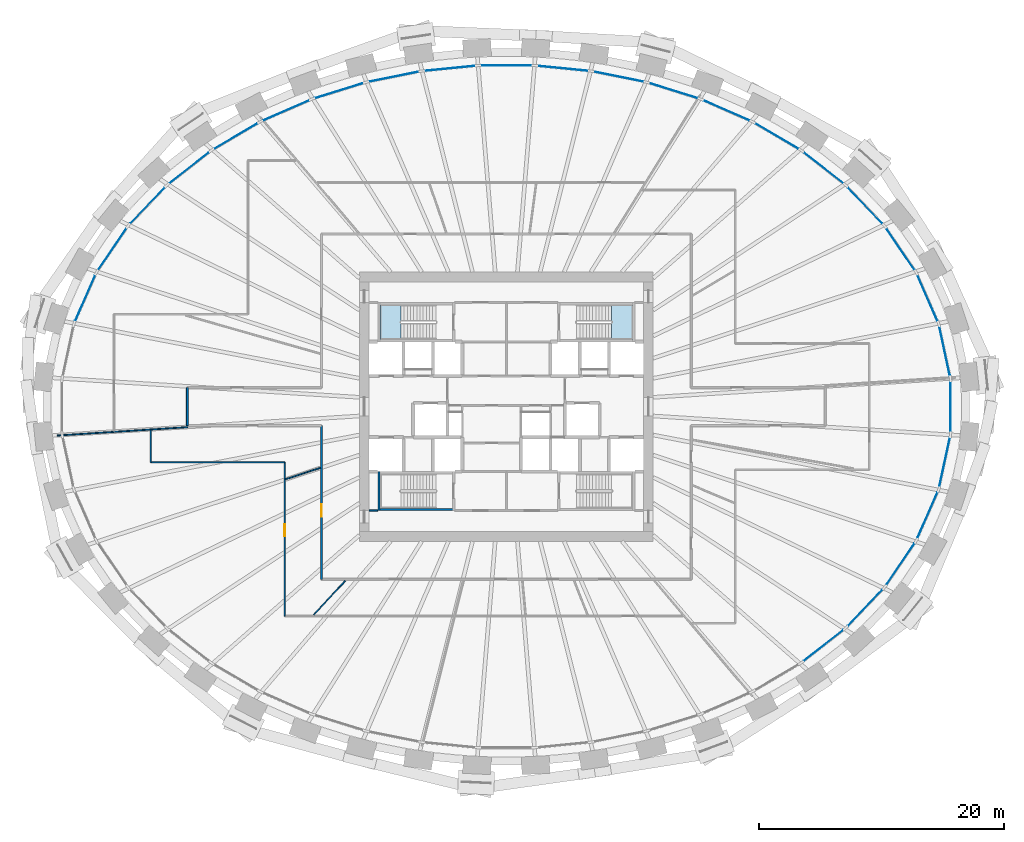
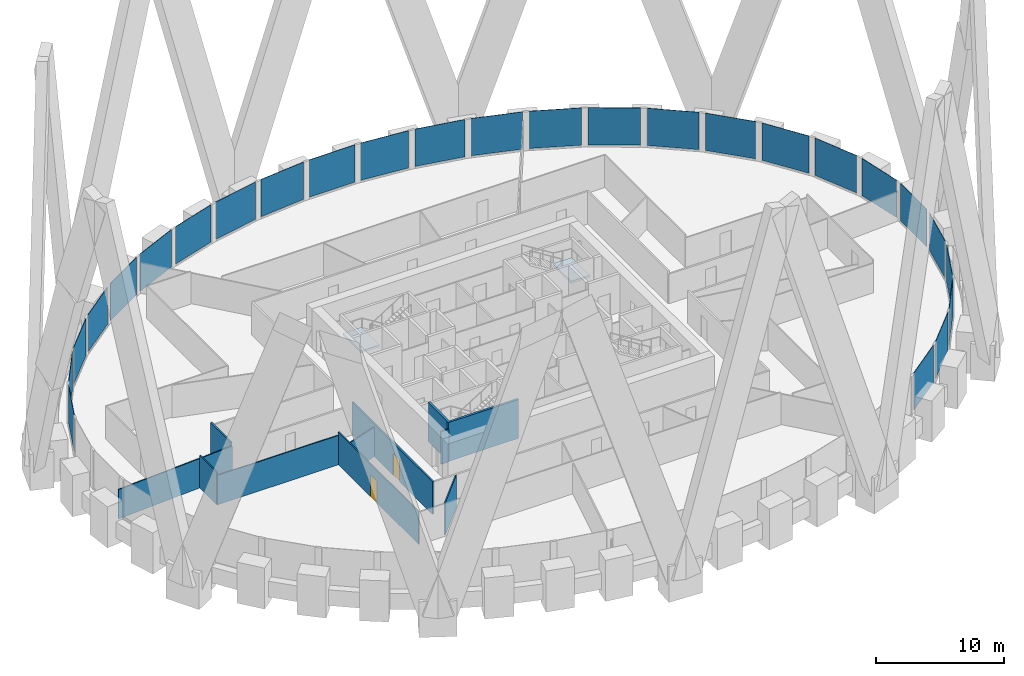
# One storey, part 6 of 12: 26 plates, 11 walls, 2 doors, 2 slabs, 2 openings, 3 elements without a shape of their own.
"""IFC4 building model written with IfcOpenShell, lengths in metres."""

from ifc_helpers import new_model, si_unit, direction, frame, frame_2d, origin, origin_2d, place, context, subcontext, project, spatial, polyline, rectangle, outline, extrude, source, transform, mapped, material, layer, layer_set, type_object, element, fill, aggregate, save


model = new_model("IFC4")

# Units and contexts
model_context = context("Model", 3, precision=1e-05, world=origin(), true_north=direction((0.0, 1.0)))
body_context = subcontext(model_context, "Body", "Model", "MODEL_VIEW")
ifc_project = project(units=[si_unit("LENGTHUNIT", "METRE"), si_unit("AREAUNIT", "SQUARE_METRE"), si_unit("VOLUMEUNIT", "CUBIC_METRE"), si_unit("PLANEANGLEUNIT", "RADIAN"), si_unit("MASSUNIT", "GRAM", prefix="KILO")], contexts=[model_context])

# Site, building, storey
site_placement = place(None, origin())
site = spatial("IfcSite", under=ifc_project, at=site_placement, CompositionType="ELEMENT")
building_placement = place(site_placement, origin())
building = spatial("IfcBuilding", under=site, at=building_placement, Name="Embergate Tower", CompositionType="ELEMENT")
storey_placement = place(building_placement, frame((0.0, 0.0, 159.89990234375)))
storey = spatial("IfcBuildingStorey", under=building, at=storey_placement, Name="L35", CompositionType="ELEMENT", Elevation=159.89990234375)

# Curtain wall, plates
ifc_material_1 = material(Name="Aluminium and glass", Category="aluminium")
curtain_wall_type = type_object("IfcCurtainWallType", Name="Recessed office glazing", PredefinedType="NOTDEFINED", material=ifc_material_1)
curtain_wall_placement = place(storey_placement, origin())
curtain_wall = element("IfcCurtainWall", 1, at=curtain_wall_placement, inside=storey, type_object=curtain_wall_type, Name="Recessed office glazing ring", ObjectType="RECESSED OFFICE GLAZING", PredefinedType="USERDEFINED")
ifc_material_2 = material(Name="Triple glazing, low-emissivity coating", Category="glass")
ifc_layer_1 = layer(ifc_material_2, 0.035888671875)
ifc_layer_set_1 = layer_set([ifc_layer_1], Name="Triple glazing, low-emissivity coating")
plate_type = type_object("IfcPlateType", Name="Office glazing unit", PredefinedType="CURTAIN_PANEL", material=ifc_layer_set_1)
shared_shape_1 = source(origin(), body_context, "Body", "SweptSolid", [
    extrude(rectangle(XDim=4.05810546875, YDim=0.035888671875, at=origin_2d()), origin(), (0.0, 0.0, 1.0), 3.550048828125),
])
plate_1_placement = place(storey_placement, frame((35.7998046875, 4.525634765625, 0.14990234375), z_axis=(0.0, 0.0, 1.0), x_axis=(-0.210398391177, 0.97761573074, 0.0)))
plate_1 = element("IfcPlate", 2, at=plate_1_placement, type_object=plate_type, Name="CW panel 1.1", PredefinedType="CURTAIN_PANEL", context=body_context, shape_type="MappedRepresentation", body=[
    mapped(shared_shape_1, transform((0.0, 0.0, 0.0))),
])
plate_2_placement = place(storey_placement, frame((35.7998046875, -4.525634765625, 0.14990234375), z_axis=(0.0, 0.0, 1.0), x_axis=(0.210398391177, 0.97761573074, 0.0)))
plate_2 = element("IfcPlate", 3, at=plate_2_placement, type_object=plate_type, Name="CW panel 43.1", PredefinedType="CURTAIN_PANEL", context=body_context, shape_type="MappedRepresentation", body=[
    mapped(shared_shape_1, transform((0.0, 0.0, 0.0))),
])
shared_shape_2 = source(origin(), body_context, "Body", "SweptSolid", [
    extrude(rectangle(XDim=4.065185546875, YDim=0.035888671875, at=origin_2d()), origin(), (0.0, 0.0, 1.0), 3.550048828125),
])
plate_3_placement = place(storey_placement, frame((34.397216796875, 8.863037109375, 0.14990234375), z_axis=(0.0, 0.0, 1.0), x_axis=(-0.401652101157, 0.91579232888, 0.0)))
plate_3 = element("IfcPlate", 4, at=plate_3_placement, type_object=plate_type, Name="CW panel 2.1", PredefinedType="CURTAIN_PANEL", context=body_context, shape_type="MappedRepresentation", body=[
    mapped(shared_shape_2, transform((0.0, 0.0, 0.0))),
])
plate_4_placement = place(storey_placement, frame((-34.397216796875, 8.863037109375, 0.14990234375), z_axis=(0.0, 0.0, 1.0), x_axis=(-0.401652101157, -0.91579232888, 0.0)))
plate_4 = element("IfcPlate", 5, at=plate_4_placement, type_object=plate_type, Name="CW panel 20.1", PredefinedType="CURTAIN_PANEL", context=body_context, shape_type="MappedRepresentation", body=[
    mapped(shared_shape_2, transform((0.0, 0.0, 0.0))),
])
plate_5_placement = place(storey_placement, frame((34.397216796875, -8.863037109375, 0.14990234375), z_axis=(0.0, 0.0, 1.0), x_axis=(0.401652101157, 0.91579232888, 0.0)))
plate_5 = element("IfcPlate", 6, at=plate_5_placement, type_object=plate_type, Name="CW panel 42.1", PredefinedType="CURTAIN_PANEL", context=body_context, shape_type="MappedRepresentation", body=[
    mapped(shared_shape_2, transform((0.0, 0.0, 0.0))),
])
shared_shape_3 = source(origin(), body_context, "Body", "SweptSolid", [
    extrude(rectangle(XDim=4.073974609375, YDim=0.035888671875, at=origin_2d()), origin(), (0.0, 0.0, 1.0), 3.550048828125),
])
plate_6_placement = place(storey_placement, frame((32.184814453125, 12.86181640625, 0.14990234375), z_axis=(0.0, 0.0, 1.0), x_axis=(-0.562341741915, 0.826904931234, 0.0)))
plate_6 = element("IfcPlate", 7, at=plate_6_placement, type_object=plate_type, Name="CW panel 3.1", PredefinedType="CURTAIN_PANEL", context=body_context, shape_type="MappedRepresentation", body=[
    mapped(shared_shape_3, transform((0.0, 0.0, 0.0))),
])
plate_7_placement = place(storey_placement, frame((-32.184814453125, 12.86181640625, 0.14990234375), z_axis=(0.0, 0.0, 1.0), x_axis=(-0.562341741915, -0.826904931234, 0.0)))
plate_7 = element("IfcPlate", 8, at=plate_7_placement, type_object=plate_type, Name="CW panel 19.1", PredefinedType="CURTAIN_PANEL", context=body_context, shape_type="MappedRepresentation", body=[
    mapped(shared_shape_3, transform((0.0, 0.0, 0.0))),
])
plate_8_placement = place(storey_placement, frame((32.184814453125, -12.86181640625, 0.14990234375), z_axis=(0.0, 0.0, 1.0), x_axis=(0.562341741915, 0.826904931234, 0.0)))
plate_8 = element("IfcPlate", 9, at=plate_8_placement, type_object=plate_type, Name="CW panel 41.1", PredefinedType="CURTAIN_PANEL", context=body_context, shape_type="MappedRepresentation", body=[
    mapped(shared_shape_3, transform((0.0, 0.0, 0.0))),
])
shared_shape_4 = source(origin(), body_context, "Body", "SweptSolid", [
    extrude(rectangle(XDim=4.08251953125, YDim=0.035888671875, at=origin_2d()), origin(), (0.0, 0.0, 1.0), 3.550048828125),
])
plate_9_placement = place(storey_placement, frame((29.304931640625, 16.4267578125, 0.14990234375), z_axis=(0.0, 0.0, 1.0), x_axis=(-0.690135047526, 0.723680603703, 0.0)))
plate_9 = element("IfcPlate", 10, at=plate_9_placement, type_object=plate_type, Name="CW panel 4.1", PredefinedType="CURTAIN_PANEL", context=body_context, shape_type="MappedRepresentation", body=[
    mapped(shared_shape_4, transform((0.0, 0.0, 0.0))),
])
plate_10_placement = place(storey_placement, frame((-29.304931640625, 16.4267578125, 0.14990234375), z_axis=(0.0, 0.0, 1.0), x_axis=(-0.690135047526, -0.723680603703, 0.0)))
plate_10 = element("IfcPlate", 11, at=plate_10_placement, type_object=plate_type, Name="CW panel 18.1", PredefinedType="CURTAIN_PANEL", context=body_context, shape_type="MappedRepresentation", body=[
    mapped(shared_shape_4, transform((0.0, 0.0, 0.0))),
])
plate_11_placement = place(storey_placement, frame((29.304931640625, -16.4267578125, 0.14990234375), z_axis=(0.0, 0.0, 1.0), x_axis=(0.690135047526, 0.723680603703, 0.0)))
plate_11 = element("IfcPlate", 12, at=plate_11_placement, type_object=plate_type, Name="CW panel 40.1", PredefinedType="CURTAIN_PANEL", context=body_context, shape_type="MappedRepresentation", body=[
    mapped(shared_shape_4, transform((0.0, 0.0, 0.0))),
])
shared_shape_5 = source(origin(), body_context, "Body", "SweptSolid", [
    extrude(rectangle(XDim=4.090087890625, YDim=0.035888671875, at=origin_2d()), origin(), (0.0, 0.0, 1.0), 3.550048828125),
])
plate_12_placement = place(storey_placement, frame((25.899658203125, 19.510498046875, 0.14990234375), z_axis=(0.0, 0.0, 1.0), x_axis=(-0.788320119254, 0.615265300158, 0.0)))
plate_12 = element("IfcPlate", 13, at=plate_12_placement, type_object=plate_type, Name="CW panel 5.1", PredefinedType="CURTAIN_PANEL", context=body_context, shape_type="MappedRepresentation", body=[
    mapped(shared_shape_5, transform((0.0, 0.0, 0.0))),
])
plate_13_placement = place(storey_placement, frame((-25.899658203125, 19.510498046875, 0.14990234375), z_axis=(0.0, 0.0, 1.0), x_axis=(-0.788320119254, -0.615265300158, 0.0)))
plate_13 = element("IfcPlate", 14, at=plate_13_placement, type_object=plate_type, Name="CW panel 17.1", PredefinedType="CURTAIN_PANEL", context=body_context, shape_type="MappedRepresentation", body=[
    mapped(shared_shape_5, transform((0.0, 0.0, 0.0))),
])
plate_14_placement = place(storey_placement, frame((25.899658203125, -19.510498046875, 0.14990234375), z_axis=(0.0, 0.0, 1.0), x_axis=(0.788320119254, 0.615265300158, 0.0)))
plate_14 = element("IfcPlate", 15, at=plate_14_placement, type_object=plate_type, Name="CW panel 39.1", PredefinedType="CURTAIN_PANEL", context=body_context, shape_type="MappedRepresentation", body=[
    mapped(shared_shape_5, transform((0.0, 0.0, 0.0))),
])
shared_shape_6 = source(origin(), body_context, "Body", "SweptSolid", [
    extrude(rectangle(XDim=4.09619140625, YDim=0.035888671875, at=origin_2d()), origin(), (0.0, 0.0, 1.0), 3.550048828125),
])
plate_15_placement = place(storey_placement, frame((22.0927734375, 22.098388671875, 0.14990234375), z_axis=(0.0, 0.0, 1.0), x_axis=(-0.862053167811, 0.50681785275, 0.0)))
plate_15 = element("IfcPlate", 16, at=plate_15_placement, type_object=plate_type, Name="CW panel 6.1", PredefinedType="CURTAIN_PANEL", context=body_context, shape_type="MappedRepresentation", body=[
    mapped(shared_shape_6, transform((0.0, 0.0, 0.0))),
])
plate_16_placement = place(storey_placement, frame((-22.0927734375, 22.098388671875, 0.14990234375), z_axis=(0.0, 0.0, 1.0), x_axis=(-0.862053167811, -0.50681785275, 0.0)))
plate_16 = element("IfcPlate", 17, at=plate_16_placement, type_object=plate_type, Name="CW panel 16.1", PredefinedType="CURTAIN_PANEL", context=body_context, shape_type="MappedRepresentation", body=[
    mapped(shared_shape_6, transform((0.0, 0.0, 0.0))),
])
shared_shape_7 = source(origin(), body_context, "Body", "SweptSolid", [
    extrude(rectangle(XDim=4.1005859375, YDim=0.035888671875, at=origin_2d()), origin(), (0.0, 0.0, 1.0), 3.550048828125),
])
plate_17_placement = place(storey_placement, frame((17.986328125, 24.193603515625, 0.14990234375), z_axis=(0.0, 0.0, 1.0), x_axis=(-0.916236211741, 0.400638495772, 0.0)))
plate_17 = element("IfcPlate", 18, at=plate_17_placement, type_object=plate_type, Name="CW panel 7.1", PredefinedType="CURTAIN_PANEL", context=body_context, shape_type="MappedRepresentation", body=[
    mapped(shared_shape_7, transform((0.0, 0.0, 0.0))),
])
plate_18_placement = place(storey_placement, frame((-17.986328125, 24.193603515625, 0.14990234375), z_axis=(0.0, 0.0, 1.0), x_axis=(-0.916236211741, -0.400638495772, 0.0)))
plate_18 = element("IfcPlate", 19, at=plate_18_placement, type_object=plate_type, Name="CW panel 15.1", PredefinedType="CURTAIN_PANEL", context=body_context, shape_type="MappedRepresentation", body=[
    mapped(shared_shape_7, transform((0.0, 0.0, 0.0))),
])
shared_shape_8 = source(origin(), body_context, "Body", "SweptSolid", [
    extrude(rectangle(XDim=4.10400390625, YDim=0.035888671875, at=origin_2d()), origin(), (0.0, 0.0, 1.0), 3.550048828125),
])
plate_19_placement = place(storey_placement, frame((13.662109375, 25.806640625, 0.14990234375), z_axis=(0.0, 0.0, 1.0), x_axis=(-0.954772217174, 0.297338213676, 0.0)))
plate_19 = element("IfcPlate", 20, at=plate_19_placement, type_object=plate_type, Name="CW panel 8.1", PredefinedType="CURTAIN_PANEL", context=body_context, shape_type="MappedRepresentation", body=[
    mapped(shared_shape_8, transform((0.0, 0.0, 0.0))),
])
plate_20_placement = place(storey_placement, frame((-13.662109375, 25.806640625, 0.14990234375), z_axis=(0.0, 0.0, 1.0), x_axis=(-0.954772217174, -0.297338213676, 0.0)))
plate_20 = element("IfcPlate", 21, at=plate_20_placement, type_object=plate_type, Name="CW panel 14.1", PredefinedType="CURTAIN_PANEL", context=body_context, shape_type="MappedRepresentation", body=[
    mapped(shared_shape_8, transform((0.0, 0.0, 0.0))),
])
shared_shape_9 = source(origin(), body_context, "Body", "SweptSolid", [
    extrude(rectangle(XDim=4.106201171875, YDim=0.035888671875, at=origin_2d()), origin(), (0.0, 0.0, 1.0), 3.550048828125),
])
plate_21_placement = place(storey_placement, frame((9.18701171875, 26.948974609375, 0.14990234375), z_axis=(0.0, 0.0, 1.0), x_axis=(-0.980475907409, 0.196639250889, 0.0)))
plate_21 = element("IfcPlate", 22, at=plate_21_placement, type_object=plate_type, Name="CW panel 9.1", PredefinedType="CURTAIN_PANEL", context=body_context, shape_type="MappedRepresentation", body=[
    mapped(shared_shape_9, transform((0.0, 0.0, 0.0))),
])
plate_22_placement = place(storey_placement, frame((-9.18701171875, 26.948974609375, 0.14990234375), z_axis=(0.0, 0.0, 1.0), x_axis=(-0.980475907409, -0.196639250889, 0.0)))
plate_22 = element("IfcPlate", 23, at=plate_22_placement, type_object=plate_type, Name="CW panel 13.1", PredefinedType="CURTAIN_PANEL", context=body_context, shape_type="MappedRepresentation", body=[
    mapped(shared_shape_9, transform((0.0, 0.0, 0.0))),
])
shared_shape_10 = source(origin(), body_context, "Body", "SweptSolid", [
    extrude(rectangle(XDim=4.107421875, YDim=0.035888671875, at=origin_2d()), origin(), (0.0, 0.0, 1.0), 3.550048828125),
])
plate_23_placement = place(storey_placement, frame((4.616455078125, 27.630126953125, 0.14990234375), z_axis=(0.0, 0.0, 1.0), x_axis=(-0.995203184788, 0.097829550688, 0.0)))
plate_23 = element("IfcPlate", 24, at=plate_23_placement, type_object=plate_type, Name="CW panel 10.1", PredefinedType="CURTAIN_PANEL", context=body_context, shape_type="MappedRepresentation", body=[
    mapped(shared_shape_10, transform((0.0, 0.0, 0.0))),
])
plate_24_placement = place(storey_placement, frame((-4.616455078125, 27.630126953125, 0.14990234375), z_axis=(0.0, 0.0, 1.0), x_axis=(-0.995203184788, -0.097829550688, 0.0)))
plate_24 = element("IfcPlate", 25, at=plate_24_placement, type_object=plate_type, Name="CW panel 12.1", PredefinedType="CURTAIN_PANEL", context=body_context, shape_type="MappedRepresentation", body=[
    mapped(shared_shape_10, transform((0.0, 0.0, 0.0))),
])
shared_shape_11 = source(origin(), body_context, "Body", "SweptSolid", [
    extrude(rectangle(XDim=4.10791015625, YDim=0.035888671875, at=origin_2d()), origin(), (0.0, 0.0, 1.0), 3.550048828125),
])
plate_25_placement = place(storey_placement, frame((0.0, 27.8564453125, 0.14990234375), z_axis=(0.0, 0.0, 1.0), x_axis=(-1.0, 0.0, 0.0)))
plate_25 = element("IfcPlate", 26, at=plate_25_placement, type_object=plate_type, Name="CW panel 11.1", PredefinedType="CURTAIN_PANEL", context=body_context, shape_type="MappedRepresentation", body=[
    mapped(shared_shape_11, transform((0.0, 0.0, 0.0))),
])
shared_shape_12 = source(origin(), body_context, "Body", "SweptSolid", [
    extrude(rectangle(XDim=4.055419921875, YDim=0.035888671875, at=origin_2d()), origin(), (0.0, 0.0, 1.0), 3.550048828125),
])
plate_26_placement = place(storey_placement, frame((36.281494140625, 0.0, 0.14990234375), z_axis=(0.0, 0.0, 1.0), x_axis=(0.0, 1.0, 0.0)))
plate_26 = element("IfcPlate", 27, at=plate_26_placement, type_object=plate_type, Name="CW panel 44.1", PredefinedType="CURTAIN_PANEL", context=body_context, shape_type="MappedRepresentation", body=[
    mapped(shared_shape_12, transform((0.0, 0.0, 0.0))),
])
aggregate(curtain_wall, [plate_1, plate_3, plate_6, plate_9, plate_12, plate_15, plate_17, plate_19, plate_21, plate_23, plate_25, plate_24, plate_22, plate_20, plate_18, plate_16, plate_13, plate_10, plate_7, plate_4, plate_14, plate_11, plate_8, plate_5, plate_2, plate_26])

# Stair, slab
ifc_material_3 = material(Name="Exit stair")
stair_type = type_object("IfcStairType", Name="Exit stair", PredefinedType="HALF_TURN_STAIR", material=ifc_material_3)
stair_1_placement = place(storey_placement, origin())
stair_1 = element("IfcStair", 28, at=stair_1_placement, inside=storey, type_object=stair_type, Name="L35 Exit stair 1", PredefinedType="HALF_TURN_STAIR")
ifc_material_4 = material(Name="Concrete C40", Category="concrete")
ifc_layer_2 = layer(ifc_material_4, 0.199951171875)
ifc_layer_set_2 = layer_set([ifc_layer_2], Name="Concrete C40")
slab_type = type_object("IfcSlabType", Name="Stair landing reinforced concrete", PredefinedType="LANDING", material=ifc_layer_set_2)
shared_shape_13 = source(origin(), body_context, "Body", "SweptSolid", [
    extrude(outline(polyline([(0.0, 0.0), (1.68994140625, 0.0), (1.68994140625, 2.800048828125), (0.0, 2.800048828125), (0.0, 0.0)])), origin(), (0.0, 0.0, 1.0), 0.2001953125),
])
slab_1_placement = place(storey_placement, frame((-10.300048828125, 5.5, 1.75)))
slab_1 = element("IfcSlab", 29, at=slab_1_placement, type_object=slab_type, Name="ST1 landing 1", PredefinedType="LANDING", context=body_context, shape_type="MappedRepresentation", body=[
    mapped(shared_shape_13, transform((0.0, 0.0, 0.0))),
])
aggregate(stair_1, [slab_1])

stair_2_placement = place(storey_placement, origin())
stair_2 = element("IfcStair", 30, at=stair_2_placement, inside=storey, type_object=stair_type, Name="L35 Exit stair 2", PredefinedType="HALF_TURN_STAIR")
slab_2_placement = place(storey_placement, frame((8.610107421875, 5.5, 1.75)))
slab_2 = element("IfcSlab", 31, at=slab_2_placement, type_object=slab_type, Name="ST2 landing 1", PredefinedType="LANDING", context=body_context, shape_type="MappedRepresentation", body=[
    mapped(shared_shape_13, transform((0.0, 0.0, 0.0))),
])
aggregate(stair_2, [slab_2])

# Walls
ifc_material_5 = material(Name="Concrete C50", Category="concrete")
ifc_layer_3 = layer(ifc_material_5, 0.199951171875)
ifc_layer_set_3 = layer_set([ifc_layer_3], Name="Concrete C50")
wall_type_1 = type_object("IfcWallType", Name="Stair enclosure wall reinforced concrete 250", PredefinedType="SHEAR", material=ifc_layer_set_3)
shared_shape_14 = source(origin(), body_context, "Body", "SweptSolid", [
    extrude(rectangle(XDim=6.300048828125, YDim=0.199951171875, at=frame_2d((3.14990234375, 0.0))), origin(), (0.0, 0.0, 1.0), 3.7001953125),
])
wall_1_placement = place(storey_placement, frame((-10.5, -8.39990234375, 0.0), z_axis=(0.0, 0.0, 1.0), x_axis=(1.0, 0.0, 0.0)))
element("IfcWall", 32, at=wall_1_placement, inside=storey, type_object=wall_type_1, Name="SE-1 wall", PredefinedType="SHEAR", context=body_context, shape_type="MappedRepresentation", body=[
    mapped(shared_shape_14, transform((0.0, 0.0, 0.0))),
])
ifc_material_6 = material(Name="Partition dry-lined 100")
ifc_layer_4 = layer(ifc_material_6, 0.10009765625)
ifc_layer_set_4 = layer_set([ifc_layer_4], Name="Partition dry-lined 100")
wall_type_2 = type_object("IfcWallType", Name="Partition dry-lined 100", PredefinedType="PARTITIONING", material=ifc_layer_set_4)
shared_shape_15 = source(origin(), body_context, "Body", "SweptSolid", [
    extrude(rectangle(XDim=10.949951171875, YDim=0.10009765625, at=frame_2d((5.47509765625, 0.0))), origin(), (0.0, 0.0, 1.0), 2.800048828125),
])
wall_2_placement = place(storey_placement, frame((-29.050048828125, -4.550048828125, 0.0), z_axis=(0.0, 0.0, 1.0), x_axis=(1.0, 0.0, 0.0)))
element("IfcWall", 33, at=wall_2_placement, inside=storey, type_object=wall_type_2, Name="IP-1 wall", PredefinedType="PARTITIONING", context=body_context, shape_type="MappedRepresentation", body=[
    mapped(shared_shape_15, transform((0.0, 0.0, 0.0))),
])
ifc_material_7 = material(Name="Core partition blockwork 120")
ifc_layer_5 = layer(ifc_material_7, 0.1201171875)
ifc_layer_set_5 = layer_set([ifc_layer_5], Name="Core partition blockwork 120")
wall_type_3 = type_object("IfcWallType", Name="Core partition blockwork 120", PredefinedType="PARTITIONING", material=ifc_layer_set_5)
shared_shape_16 = source(origin(), body_context, "Body", "SweptSolid", [
    extrude(rectangle(XDim=0.697998046875, YDim=0.1201171875, at=frame_2d((0.34912109375, 0.0))), origin(), (0.0, 0.0, 1.0), 3.10009765625),
])
wall_3_placement = place(storey_placement, frame((-10.501953125, -8.5, 0.0), z_axis=(0.0, 0.0, 1.0), x_axis=(-1.0, 0.0, 0.0)))
element("IfcWall", 34, at=wall_3_placement, inside=storey, type_object=wall_type_3, Name="IP-3 wall", PredefinedType="PARTITIONING", context=body_context, shape_type="MappedRepresentation", body=[
    mapped(shared_shape_16, transform((0.0, 0.0, 0.0))),
])
shared_shape_17 = source(origin(), body_context, "Body", "SweptSolid", [
    extrude(rectangle(XDim=3.196044921875, YDim=0.199951171875, at=frame_2d((1.59814453125, 0.0))), origin(), (0.0, 0.0, 1.0), 3.7001953125),
])
wall_4_placement = place(storey_placement, frame((-10.39990234375, -5.302001953125, 0.0), z_axis=(0.0, 0.0, 1.0), x_axis=(0.0, -1.0, 0.0)))
element("IfcWall", 35, at=wall_4_placement, inside=storey, type_object=wall_type_1, Name="SE-1 wall", PredefinedType="SHEAR", context=body_context, shape_type="MappedRepresentation", body=[
    mapped(shared_shape_17, transform((0.0, 0.0, 0.0))),
])

# Wall, opening, door
ifc_material_8 = material(Name="Corridor wall dry-lined 150")
ifc_layer_6 = layer(ifc_material_8, 0.14990234375)
ifc_layer_set_6 = layer_set([ifc_layer_6], Name="Corridor wall dry-lined 150")
wall_type_4 = type_object("IfcWallType", Name="Corridor wall dry-lined 150", PredefinedType="PARTITIONING", material=ifc_layer_set_6)
shared_shape_18 = source(origin(), body_context, "Body", "SweptSolid", [
    extrude(rectangle(XDim=12.550048828125, YDim=0.14990234375, at=frame_2d((6.27490234375, 0.0))), origin(), (0.0, 0.0, 1.0), 3.10009765625),
])
wall_5_placement = place(storey_placement, frame((-15.10009765625, -1.550048828125, 0.0), z_axis=(0.0, 0.0, 1.0), x_axis=(0.0, -1.0, 0.0)))
wall_5 = element("IfcWall", 36, at=wall_5_placement, inside=storey, type_object=wall_type_4, Name="IP-2 wall", PredefinedType="PARTITIONING", context=body_context, shape_type="MappedRepresentation", body=[
    mapped(shared_shape_18, transform((0.0, 0.0, 0.0))),
])
shared_shape_19 = source(origin(), body_context, "Body", "SweptSolid", [
    extrude(rectangle(XDim=1.0, YDim=2.10009765625, at=frame_2d((0.5, 1.050048828125))), frame((0.0, 0.0849609375, 0.0), z_axis=(0.0, -1.0, 0.0), x_axis=(1.0, 0.0, 0.0)), (0.0, 0.0, 1.0), 0.169921875),
])
opening_1_placement = place(wall_5_placement, frame((6.427001953125, 0.0, 0.0)))
opening_1 = element("IfcOpeningElement", 37, at=opening_1_placement, cuts=wall_5, Name="Opening ID-2", PredefinedType="OPENING", context=body_context, shape_type="MappedRepresentation", body=[
    mapped(shared_shape_19, transform((0.0, 0.0, 0.0))),
])
ifc_material_9 = material(Name="Interior door 1000")
door_type = type_object("IfcDoorType", Name="Interior door 1000", OperationType="SINGLE_SWING_LEFT", PredefinedType="DOOR", material=ifc_material_9)
shared_shape_20 = source(origin(), body_context, "Body", "SweptSolid", [
    extrude(rectangle(XDim=1.0, YDim=2.10009765625, at=frame_2d((0.5, 1.050048828125))), frame((0.0, 0.02490234375, 0.0), z_axis=(0.0, -1.0, 0.0), x_axis=(1.0, 0.0, 0.0)), (0.0, 0.0, 1.0), 0.050048828125),
])
door_1_placement = place(opening_1_placement, origin())
door_1 = element("IfcDoor", 38, at=door_1_placement, inside=storey, type_object=door_type, Name="ID-2 door", OperationType="SINGLE_SWING_LEFT", OverallHeight=2.10009765625, OverallWidth=1.0, PredefinedType="DOOR", context=body_context, shape_type="MappedRepresentation", body=[
    mapped(shared_shape_20, transform((0.0, 0.0, 0.0))),
])
fill(opening_1, door_1)

# Walls
shared_shape_21 = source(origin(), body_context, "Body", "SweptSolid", [
    extrude(rectangle(XDim=3.10009765625, YDim=0.14990234375, at=frame_2d((1.550048828125, 0.0))), origin(), (0.0, 0.0, 1.0), 3.10009765625),
])
wall_6_placement = place(storey_placement, frame((-26.050048828125, 1.550048828125, 0.0), z_axis=(0.0, 0.0, 1.0), x_axis=(0.0, -1.0, 0.0)))
element("IfcWall", 39, at=wall_6_placement, inside=storey, type_object=wall_type_4, Name="IP-2 wall", PredefinedType="PARTITIONING", context=body_context, shape_type="MappedRepresentation", body=[
    mapped(shared_shape_21, transform((0.0, 0.0, 0.0))),
])
shared_shape_22 = source(origin(), body_context, "Body", "SweptSolid", [
    extrude(rectangle(XDim=2.992919921875, YDim=0.10009765625, at=frame_2d((1.49658203125, 0.0))), origin(), (0.0, 0.0, 1.0), 2.800048828125),
])
wall_7_placement = place(storey_placement, frame((-15.19091796875, -4.992919921875, 0.0), z_axis=(0.0, 0.0, 1.0), x_axis=(-0.94994012605, -0.312432003673, 0.0)))
element("IfcWall", 40, at=wall_7_placement, inside=storey, type_object=wall_type_2, Name="IP-1 wall", PredefinedType="PARTITIONING", context=body_context, shape_type="MappedRepresentation", body=[
    mapped(shared_shape_22, transform((0.0, 0.0, 0.0))),
])
shared_shape_23 = source(origin(), body_context, "Body", "SweptSolid", [
    extrude(rectangle(XDim=10.660888671875, YDim=0.10009765625, at=frame_2d((5.33056640625, 0.0))), origin(), (0.0, 0.0, 1.0), 2.800048828125),
])
wall_8_placement = place(storey_placement, frame((-36.666015625, -2.360107421875, 0.0), z_axis=(0.0, 0.0, 1.0), x_axis=(0.997933274946, 0.064258686222, 0.0)))
element("IfcWall", 41, at=wall_8_placement, inside=storey, type_object=wall_type_2, Name="IP-1 wall", PredefinedType="PARTITIONING", context=body_context, shape_type="MappedRepresentation", body=[
    mapped(shared_shape_23, transform((0.0, 0.0, 0.0))),
])
shared_shape_24 = source(origin(), body_context, "Body", "SweptSolid", [
    extrude(rectangle(XDim=2.631103515625, YDim=0.10009765625, at=frame_2d((1.3154296875, 0.0))), origin(), (0.0, 0.0, 1.0), 3.10009765625),
])
wall_9_placement = place(storey_placement, frame((-29.050048828125, -1.9189453125, 0.0), z_axis=(0.0, 0.0, 1.0), x_axis=(0.0, -1.0, 0.0)))
element("IfcWall", 42, at=wall_9_placement, inside=storey, type_object=wall_type_2, Name="IP-1 wall", PredefinedType="PARTITIONING", context=body_context, shape_type="MappedRepresentation", body=[
    mapped(shared_shape_24, transform((0.0, 0.0, 0.0))),
])

# Wall, opening, door
shared_shape_25 = source(origin(), body_context, "Body", "SweptSolid", [
    extrude(rectangle(XDim=12.550048828125, YDim=0.10009765625, at=frame_2d((6.27490234375, 0.0))), origin(), (0.0, 0.0, 1.0), 3.10009765625),
])
wall_10_placement = place(storey_placement, frame((-18.10009765625, -4.550048828125, 0.0), z_axis=(0.0, 0.0, 1.0), x_axis=(0.0, -1.0, 0.0)))
wall_10 = element("IfcWall", 43, at=wall_10_placement, inside=storey, type_object=wall_type_2, Name="IP-1 wall", PredefinedType="PARTITIONING", context=body_context, shape_type="MappedRepresentation", body=[
    mapped(shared_shape_25, transform((0.0, 0.0, 0.0))),
])
shared_shape_26 = source(origin(), body_context, "Body", "SweptSolid", [
    extrude(rectangle(XDim=1.0, YDim=2.10009765625, at=frame_2d((0.5, 1.050048828125))), frame((0.0, 0.06005859375, 0.0), z_axis=(0.0, -1.0, 0.0), x_axis=(1.0, 0.0, 0.0)), (0.0, 0.0, 1.0), 0.1201171875),
])
opening_2_placement = place(wall_10_placement, frame((5.0419921875, 0.0, 0.0)))
opening_2 = element("IfcOpeningElement", 44, at=opening_2_placement, cuts=wall_10, Name="Opening ID-2", PredefinedType="OPENING", context=body_context, shape_type="MappedRepresentation", body=[
    mapped(shared_shape_26, transform((0.0, 0.0, 0.0))),
])
door_2_placement = place(opening_2_placement, origin())
door_2 = element("IfcDoor", 45, at=door_2_placement, inside=storey, type_object=door_type, Name="ID-2 door", OperationType="SINGLE_SWING_RIGHT", OverallHeight=2.10009765625, OverallWidth=1.0, PredefinedType="DOOR", context=body_context, shape_type="MappedRepresentation", body=[
    mapped(shared_shape_20, transform((0.0, 0.0, 0.0))),
])
fill(opening_2, door_2)

# Wall
shared_shape_27 = source(origin(), body_context, "Body", "SweptSolid", [
    extrude(rectangle(XDim=3.82421875, YDim=0.10009765625, at=frame_2d((1.912109375, 0.0))), origin(), (0.0, 0.0, 1.0), 3.10009765625),
])
wall_11_placement = place(storey_placement, frame((-13.14697265625, -14.208984375, 0.0), z_axis=(0.0, 0.0, 1.0), x_axis=(-0.679088426516, -0.734056475329, 0.0)))
element("IfcWall", 46, at=wall_11_placement, inside=storey, type_object=wall_type_2, Name="IP-1 wall", PredefinedType="PARTITIONING", context=body_context, shape_type="MappedRepresentation", body=[
    mapped(shared_shape_27, transform((0.0, 0.0, 0.0))),
])

save(model, "model.ifc")
